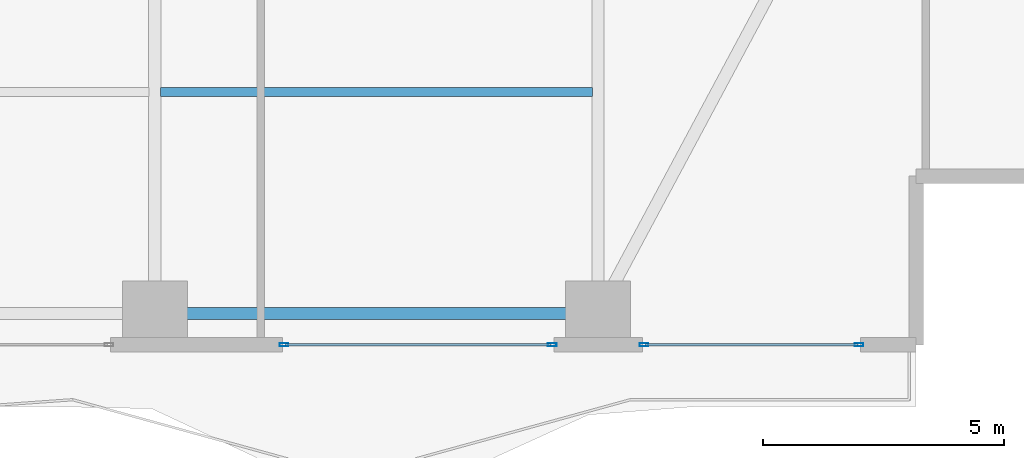
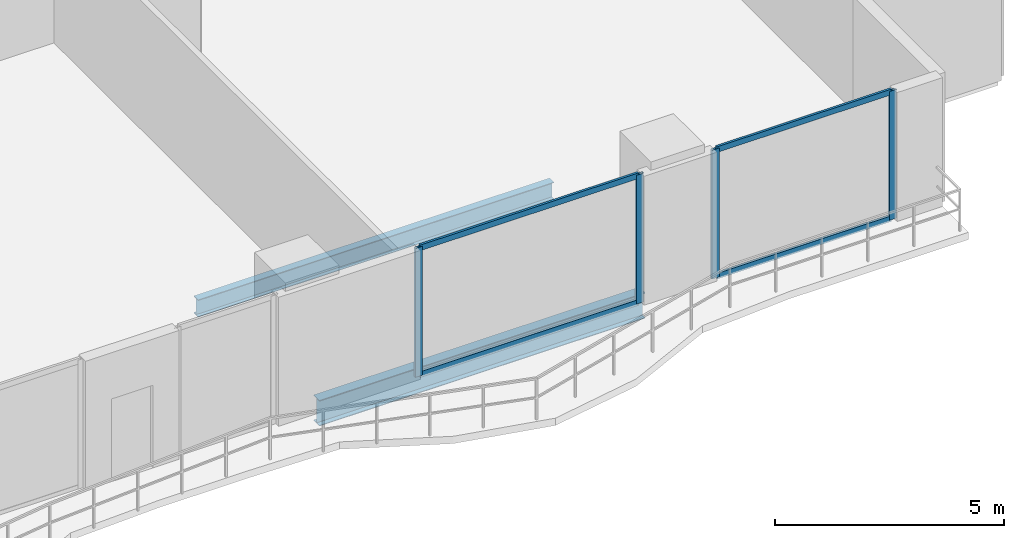
# One storey, part 9 of 28: 8 members, 2 beams, 2 elements without a shape of their own.
"""IFC4 building model written with IfcOpenShell, lengths in metres."""

from ifc_helpers import new_model, si_unit, direction, frame, origin, origin_2d, place, context, subcontext, project, spatial, hollow_rectangle, i_section, extrude, material, layer, layer_set, material_profile, profile_set, type_object, element, aggregate, save


model = new_model("IFC4")

# Units and contexts
model_context = context("Model", 3, precision=1e-05, world=origin(), true_north=direction((0.0, 1.0)))
body_context = subcontext(model_context, "Body", "Model", "MODEL_VIEW")
ifc_project = project(units=[si_unit("LENGTHUNIT", "METRE"), si_unit("AREAUNIT", "SQUARE_METRE"), si_unit("VOLUMEUNIT", "CUBIC_METRE"), si_unit("PLANEANGLEUNIT", "RADIAN"), si_unit("MASSUNIT", "GRAM", prefix="KILO")], contexts=[model_context])

# Site, building, storey
site_placement = place(None, origin())
site = spatial("IfcSite", under=ifc_project, at=site_placement, CompositionType="ELEMENT")
building_placement = place(site_placement, origin())
building = spatial("IfcBuilding", under=site, at=building_placement, Name="Zuhayl Quay Hotel", CompositionType="ELEMENT")
storey_placement = place(building_placement, frame((0.0, 0.0, 110.25)))
storey = spatial("IfcBuildingStorey", under=building, at=storey_placement, Name="L27", CompositionType="ELEMENT", Elevation=110.25)

# Beams
ifc_material_1 = material(Name="Steel ASTM A992 Grade 50", Category="steel")
ifc_material_profile_1 = material_profile(ifc_material_1, i_section(OverallWidth=0.25390625, OverallDepth=0.68310546875, WebThickness=0.012451171875, FlangeThickness=0.018798828125, at=origin_2d()), Name="W27X94")
ifc_profile_set_1 = profile_set([ifc_material_profile_1], Name="Steel ASTM A992 Grade 50")
beam_type_1 = type_object("IfcBeamType", Name="BM_B2_W27X94", PredefinedType="BEAM", material=ifc_profile_set_1)
beam_1_placement = place(storey_placement, frame((5.10009765625, -14.75, -0.5615234375), z_axis=(1.0, 0.0, 0.0), x_axis=(0.0, 1.0, 0.0)))
element("IfcBeam", 1, at=beam_1_placement, inside=storey, type_object=beam_type_1, Name="L27 Floor Beam RG_L27_03", PredefinedType="BEAM", context=body_context, shape_type="SweptSolid", body=[
    extrude(i_section(OverallWidth=0.25390625, OverallDepth=0.68310546875, WebThickness=0.012451171875, FlangeThickness=0.018798828125, at=origin_2d()), origin(), (0.0, 0.0, 1.0), 8.199951171875),
])
ifc_material_profile_2 = material_profile(ifc_material_1, i_section(OverallWidth=0.18994140625, OverallDepth=0.45703125, WebThickness=0.009033203125, FlangeThickness=0.014404296875, at=origin_2d()), Name="W18X50")
ifc_profile_set_2 = profile_set([ifc_material_profile_2], Name="Steel ASTM A992 Grade 50")
beam_type_2 = type_object("IfcBeamType", Name="BM_J2_W18X50", PredefinedType="JOIST", material=ifc_profile_set_2)
beam_2_placement = place(storey_placement, frame((4.718994140625, -10.14990234375, -0.448486328125), z_axis=(1.0, 0.0, 0.0), x_axis=(0.0, 1.0, 0.0)))
element("IfcBeam", 2, at=beam_2_placement, inside=storey, type_object=beam_type_2, Name="L27 Floor Beam FJ_L27_5_3", PredefinedType="JOIST", context=body_context, shape_type="SweptSolid", body=[
    extrude(i_section(OverallWidth=0.18994140625, OverallDepth=0.45703125, WebThickness=0.009033203125, FlangeThickness=0.014404296875, at=origin_2d()), origin(), (0.0, 0.0, 1.0), 8.9619140625),
])

# Curtain wall, members
ifc_material_2 = material(Name="Anodised Aluminium 6063-T6", Category="aluminium")
ifc_layer = layer(ifc_material_2, 0.179931640625, Name="Anodised Aluminium 6063-T6", Category="aluminium")
ifc_layer_set = layer_set([ifc_layer], Name="Anodised Aluminium 6063-T6")
curtain_wall_type = type_object("IfcCurtainWallType", Name="CW_SYS_Z2", PredefinedType="USERDEFINED", material=ifc_layer_set)
curtain_wall_1_placement = place(storey_placement, origin())
curtain_wall_1 = element("IfcCurtainWall", 3, at=curtain_wall_1_placement, inside=storey, type_object=curtain_wall_type, Name="L27 Curtain Wall ENV_L27_S_CW1", ObjectType="UNITISED CURTAIN WALL", PredefinedType="USERDEFINED")
ifc_material_3 = material(Name="Black-anodised aluminium 6063-T6", Category="aluminium")
ifc_material_profile_3 = material_profile(ifc_material_3, hollow_rectangle(XDim=0.06494140625, YDim=0.179931640625, WallThickness=0.00341796875, at=origin_2d()), Name="ALU180X65")
ifc_profile_set_3 = profile_set([ifc_material_profile_3], Name="Black-anodised aluminium 6063-T6")
member_type_1 = type_object("IfcMemberType", Name="MB_CW_MUL_180", PredefinedType="MULLION", material=ifc_profile_set_3)
member_1_placement = place(storey_placement, frame((19.217529296875, -15.39990234375, 0.0), z_axis=(0.0, 0.0, 1.0), x_axis=(0.0, -1.0, 0.0)))
member_1 = element("IfcMember", 4, at=member_1_placement, type_object=member_type_1, Name="CW-Z2 mullion 1", PredefinedType="MULLION", context=body_context, shape_type="SweptSolid", body=[
    extrude(hollow_rectangle(XDim=0.06494140625, YDim=0.179931640625, WallThickness=0.00341796875, at=origin_2d()), origin(), (0.0, 0.0, 1.0), 3.429931640625),
])
member_2_placement = place(storey_placement, frame((14.75244140625, -15.39990234375, 0.0), z_axis=(0.0, 0.0, 1.0), x_axis=(0.0, -1.0, 0.0)))
member_2 = element("IfcMember", 5, at=member_2_placement, type_object=member_type_1, Name="CW-Z2 mullion 2", PredefinedType="MULLION", context=body_context, shape_type="SweptSolid", body=[
    extrude(hollow_rectangle(XDim=0.06494140625, YDim=0.179931640625, WallThickness=0.00341796875, at=origin_2d()), origin(), (0.0, 0.0, 1.0), 3.429931640625),
])

curtain_wall_2_placement = place(storey_placement, origin())
curtain_wall_2 = element("IfcCurtainWall", 6, at=curtain_wall_2_placement, inside=storey, type_object=curtain_wall_type, Name="L27 Curtain Wall ENV_L27_S_CW2", ObjectType="UNITISED CURTAIN WALL", PredefinedType="USERDEFINED")
member_3_placement = place(storey_placement, frame((12.847412109375, -15.39990234375, 0.0), z_axis=(0.0, 0.0, 1.0), x_axis=(0.0, -1.0, 0.0)))
member_3 = element("IfcMember", 7, at=member_3_placement, type_object=member_type_1, Name="CW-Z2 mullion 1", PredefinedType="MULLION", context=body_context, shape_type="SweptSolid", body=[
    extrude(hollow_rectangle(XDim=0.06494140625, YDim=0.179931640625, WallThickness=0.00341796875, at=origin_2d()), origin(), (0.0, 0.0, 1.0), 3.429931640625),
])
member_4_placement = place(storey_placement, frame((7.282470703125, -15.39990234375, 0.0), z_axis=(0.0, 0.0, 1.0), x_axis=(0.0, -1.0, 0.0)))
member_4 = element("IfcMember", 8, at=member_4_placement, type_object=member_type_1, Name="CW-Z2 mullion 2", PredefinedType="MULLION", context=body_context, shape_type="SweptSolid", body=[
    extrude(hollow_rectangle(XDim=0.06494140625, YDim=0.179931640625, WallThickness=0.00341796875, at=origin_2d()), origin(), (0.0, 0.0, 1.0), 3.429931640625),
])

# Member
ifc_material_profile_4 = material_profile(ifc_material_3, hollow_rectangle(XDim=0.06005859375, YDim=0.14990234375, WallThickness=0.00341796875, at=origin_2d()), Name="ALU150X60")
ifc_profile_set_4 = profile_set([ifc_material_profile_4], Name="Black-anodised aluminium 6063-T6")
member_type_2 = type_object("IfcMemberType", Name="MB_CW_TRN_150", PredefinedType="USERDEFINED", material=ifc_profile_set_4)
member_5_placement = place(storey_placement, frame((19.18505859375, -15.39990234375, 0.030029296875), z_axis=(-1.0, 0.0, 0.0), x_axis=(0.0, -1.0, 0.0)))
member_5 = element("IfcMember", 9, at=member_5_placement, type_object=member_type_2, Name="CW-Z2 transom 1.1", ObjectType="TRANSOM", PredefinedType="USERDEFINED", context=body_context, shape_type="SweptSolid", body=[
    extrude(hollow_rectangle(XDim=0.06005859375, YDim=0.14990234375, WallThickness=0.00341796875, at=origin_2d()), origin(), (0.0, 0.0, 1.0), 4.400146484375),
])

member_6_placement = place(storey_placement, frame((19.18505859375, -15.39990234375, 3.39990234375), z_axis=(-1.0, 0.0, 0.0), x_axis=(0.0, -1.0, 0.0)))
member_6 = element("IfcMember", 10, at=member_6_placement, type_object=member_type_2, Name="CW-Z2 transom 1.2", ObjectType="TRANSOM", PredefinedType="USERDEFINED", context=body_context, shape_type="SweptSolid", body=[
    extrude(hollow_rectangle(XDim=0.06005859375, YDim=0.14990234375, WallThickness=0.00341796875, at=origin_2d()), origin(), (0.0, 0.0, 1.0), 4.400146484375),
])

aggregate(curtain_wall_1, [member_1, member_2, member_5, member_6])

member_7_placement = place(storey_placement, frame((12.81494140625, -15.39990234375, 0.030029296875), z_axis=(-1.0, 0.0, 0.0), x_axis=(0.0, -1.0, 0.0)))
member_7 = element("IfcMember", 11, at=member_7_placement, type_object=member_type_2, Name="CW-Z2 transom 1.1", ObjectType="TRANSOM", PredefinedType="USERDEFINED", context=body_context, shape_type="SweptSolid", body=[
    extrude(hollow_rectangle(XDim=0.06005859375, YDim=0.14990234375, WallThickness=0.00341796875, at=origin_2d()), origin(), (0.0, 0.0, 1.0), 5.5),
])

member_8_placement = place(storey_placement, frame((12.81494140625, -15.39990234375, 3.39990234375), z_axis=(-1.0, 0.0, 0.0), x_axis=(0.0, -1.0, 0.0)))
member_8 = element("IfcMember", 12, at=member_8_placement, type_object=member_type_2, Name="CW-Z2 transom 1.2", ObjectType="TRANSOM", PredefinedType="USERDEFINED", context=body_context, shape_type="SweptSolid", body=[
    extrude(hollow_rectangle(XDim=0.06005859375, YDim=0.14990234375, WallThickness=0.00341796875, at=origin_2d()), origin(), (0.0, 0.0, 1.0), 5.5),
])

aggregate(curtain_wall_2, [member_3, member_4, member_7, member_8])

save(model, "model.ifc")
